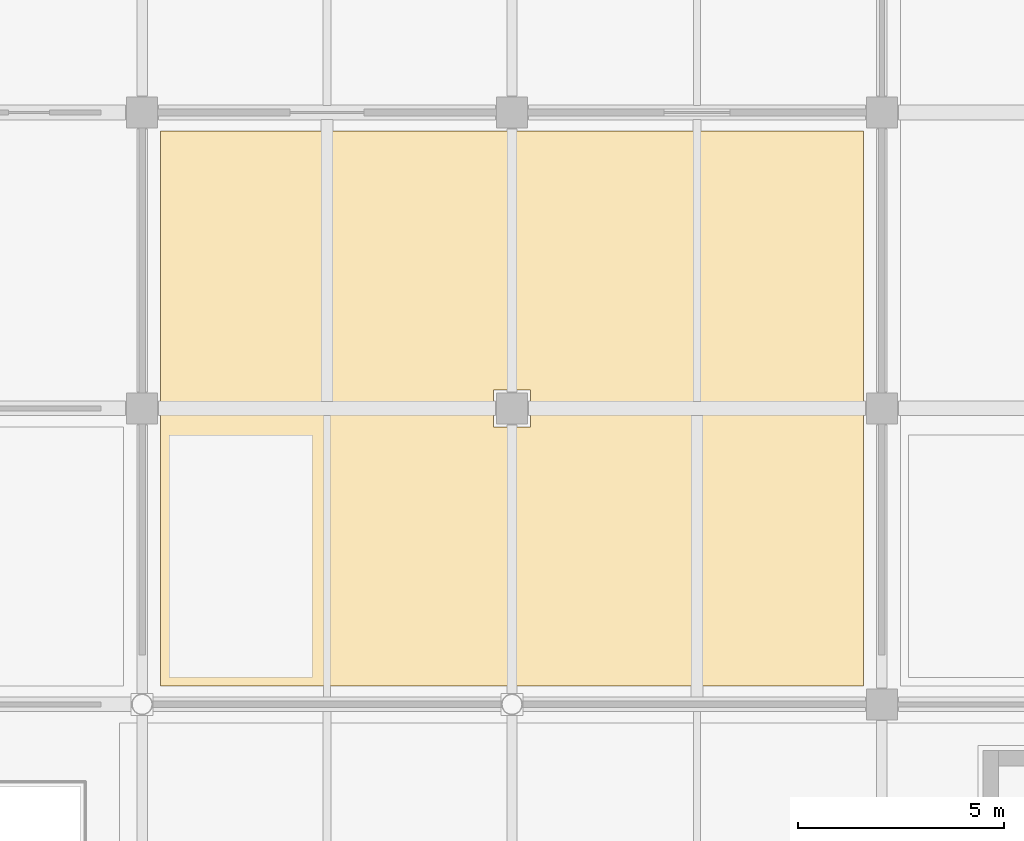
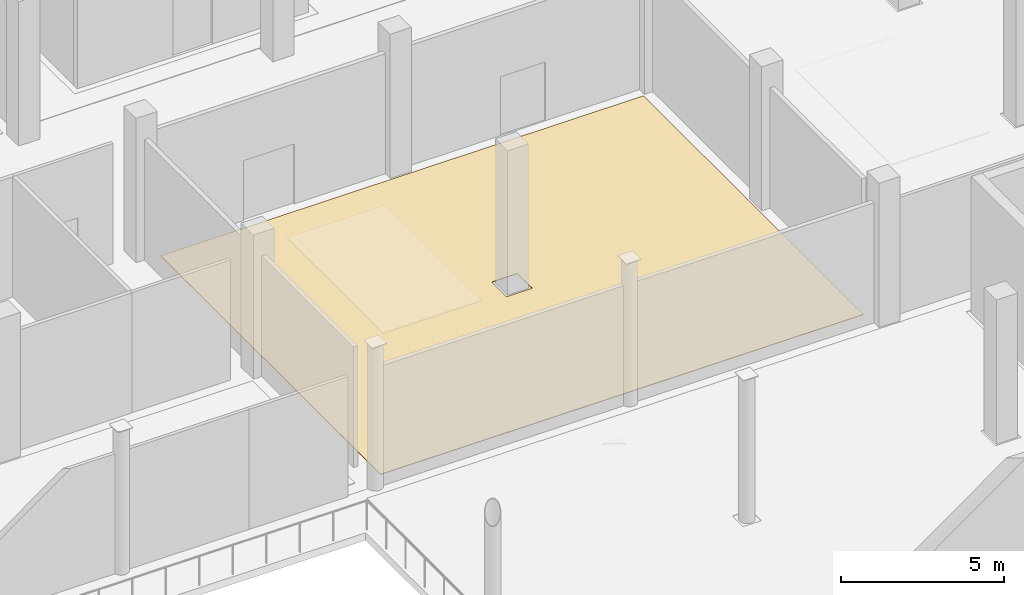
# One storey, part 179 of 189: 1 covering.
"""IFC4 building model written with IfcOpenShell, lengths in metres."""

from ifc_helpers import new_model, si_unit, direction, frame, origin, place, context, subcontext, project, spatial, polyline, outline, extrude, material, layer, layer_set, type_object, element, save


model = new_model("IFC4")

# Units and contexts
model_context = context("Model", 3, precision=1e-05, world=origin(), true_north=direction((0.0, 1.0)))
body_context = subcontext(model_context, "Body", "Model", "MODEL_VIEW")
ifc_project = project(units=[si_unit("LENGTHUNIT", "METRE"), si_unit("AREAUNIT", "SQUARE_METRE"), si_unit("VOLUMEUNIT", "CUBIC_METRE"), si_unit("PLANEANGLEUNIT", "RADIAN"), si_unit("MASSUNIT", "GRAM", prefix="KILO")], contexts=[model_context])

# Site, building, storey
site_placement = place(None, origin())
site = spatial("IfcSite", under=ifc_project, at=site_placement, CompositionType="ELEMENT")
building_placement = place(site_placement, origin())
building = spatial("IfcBuilding", under=site, at=building_placement, Name="Celestram Park Convention Centre", CompositionType="ELEMENT")
storey_placement = place(building_placement, frame((0.0, 0.0, 5.39990234375)))
storey = spatial("IfcBuildingStorey", under=building, at=storey_placement, Name="L01", CompositionType="ELEMENT", Elevation=5.39990234375)

# Covering
ifc_material = material(Name="Polished Lakefront Aggregate Terrazzo Flooring", Category="concrete")
ifc_layer = layer(ifc_material, 0.02001953125)
ifc_layer_set = layer_set([ifc_layer], Name="Polished Lakefront Aggregate Terrazzo Flooring")
covering_type = type_object("IfcCoveringType", Name="ARC-COV-FLR020", PredefinedType="FLOORING", material=ifc_layer_set)
covering_placement = place(storey_placement, origin())
element("IfcCovering", 1, at=covering_placement, inside=storey, type_object=covering_type, Name="Breakout Seminar Room 102 terrazzo flooring", PredefinedType="FLOORING", context=body_context, shape_type="SweptSolid", body=[
    extrude(outline(polyline([(89.547119140625, 136.35009765625), (89.547119140625, 136.346923828125), (90.452880859375, 136.346923828125), (90.452880859375, 136.35009765625), (98.547119140625, 136.35009765625), (98.547119140625, 136.346923828125), (98.550048828125, 136.346923828125), (98.550048828125, 130.052978515625), (98.547119140625, 130.052978515625), (98.547119140625, 129.14697265625), (98.550048828125, 129.14697265625), (98.550048828125, 122.85302734375), (98.547119140625, 122.85302734375), (98.547119140625, 122.85009765625), (81.449951171875, 122.85009765625), (81.449951171875, 129.14697265625), (81.452880859375, 129.14697265625), (81.452880859375, 130.052978515625), (81.449951171875, 130.052978515625), (81.449951171875, 136.346923828125), (81.452880859375, 136.346923828125), (81.452880859375, 136.35009765625), (89.547119140625, 136.35009765625)]), holes=[polyline([(90.452880859375, 129.14697265625), (90.452880859375, 130.052978515625), (89.547119140625, 130.052978515625), (89.547119140625, 129.14697265625), (90.452880859375, 129.14697265625)])]), origin(), (0.0, 0.0, 1.0), 0.02001953125),
])

save(model, "model.ifc")
